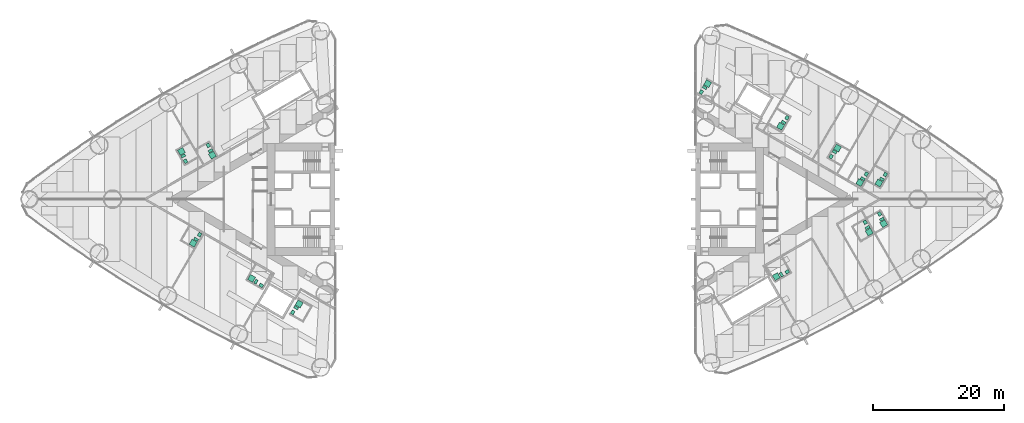
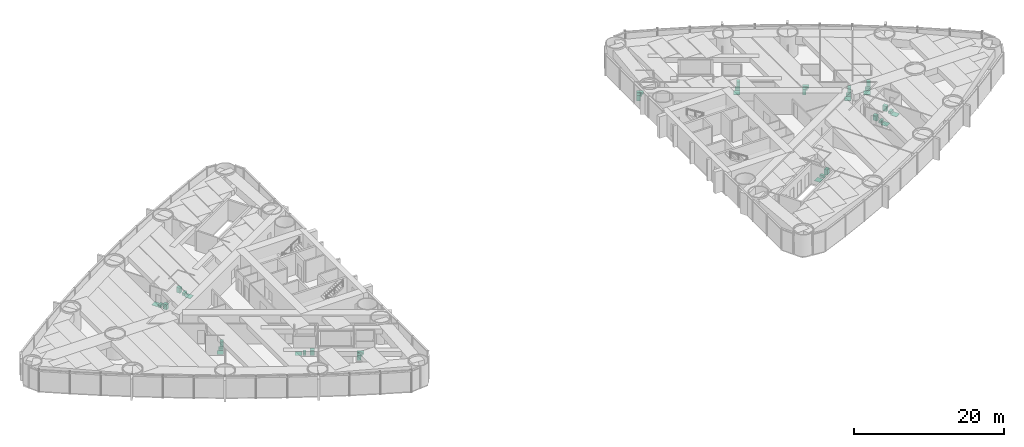
# One storey, part 19 of 19: 17 sanitary terminals.
"""IFC4 building model written with IfcOpenShell, lengths in metres."""

from ifc_helpers import new_model, si_unit, direction, frame, origin, origin_2d, place, context, subcontext, project, spatial, rectangle, extrude, material, type_object, element, save


model = new_model("IFC4")

# Units and contexts
model_context = context("Model", 3, precision=1e-05, world=origin(), true_north=direction((0.0, 1.0)))
body_context = subcontext(model_context, "Body", "Model", "MODEL_VIEW")
ifc_project = project(units=[si_unit("LENGTHUNIT", "METRE"), si_unit("AREAUNIT", "SQUARE_METRE"), si_unit("VOLUMEUNIT", "CUBIC_METRE"), si_unit("PLANEANGLEUNIT", "RADIAN"), si_unit("MASSUNIT", "GRAM", prefix="KILO")], contexts=[model_context])

# Site, building, storey
site_placement = place(None, origin())
site = spatial("IfcSite", under=ifc_project, at=site_placement, CompositionType="ELEMENT")
building_placement = place(site_placement, origin())
building = spatial("IfcBuilding", under=site, at=building_placement, Name="Lancet Gate Hotel", CompositionType="ELEMENT")
storey_placement = place(building_placement, frame((0.0, 0.0, 25.0)))
storey = spatial("IfcBuildingStorey", under=building, at=storey_placement, Name="L05", CompositionType="ELEMENT", Elevation=25.0)

# Sanitary terminals
ifc_material_1 = material(Name="Vitreous china sanitary ware")
sanitary_terminal_type_1 = type_object("IfcSanitaryTerminalType", Name="En-suite sanitary set (shower, WC, basin)", PredefinedType="USERDEFINED", material=ifc_material_1)
sanitary_terminal_1_placement = place(storey_placement, frame((-50.99169921875, 7.2958984375, 0.0), z_axis=(0.0, 0.0, 1.0), x_axis=(1.0, 0.0, 0.0)))
element("IfcSanitaryTerminal", 1, at=sanitary_terminal_1_placement, inside=storey, type_object=sanitary_terminal_type_1, Name="En-suite sanitary set (shower, WC, basin) 0503", ObjectType="EN-SUITE SANITARY SET", PredefinedType="USERDEFINED", context=body_context, shape_type="SweptSolid", body=[
    extrude(rectangle(XDim=0.89990234375, YDim=0.89990234375, at=origin_2d()), frame((0.0, 0.0, 0.0), z_axis=(0.0, 0.0, 1.0), x_axis=(-0.5, 0.866025403784, 0.0)), (0.0, 0.0, 1.0), 0.050048828125),
    extrude(rectangle(XDim=0.39990234375, YDim=0.699951171875, at=origin_2d()), frame((0.278564453125, -0.682373046875, 0.0), z_axis=(0.0, 0.0, 1.0), x_axis=(-0.5, 0.866025403784, 0.0)), (0.0, 0.0, 1.0), 0.39990234375),
    extrude(rectangle(XDim=0.60009765625, YDim=0.5, at=origin_2d()), frame((0.6318359375, -1.494384765625, 0.0), z_axis=(0.0, 0.0, 1.0), x_axis=(-0.5, 0.866025403784, 0.0)), (0.0, 0.0, 1.0), 0.85009765625),
])
sanitary_terminal_2_placement = place(storey_placement, frame((-49.200439453125, -6.71337890625, 0.0), z_axis=(0.0, 0.0, 1.0), x_axis=(1.0, 0.0, 0.0)))
element("IfcSanitaryTerminal", 2, at=sanitary_terminal_2_placement, inside=storey, type_object=sanitary_terminal_type_1, Name="En-suite sanitary set (shower, WC, basin) 0505", ObjectType="EN-SUITE SANITARY SET", PredefinedType="USERDEFINED", context=body_context, shape_type="SweptSolid", body=[
    extrude(rectangle(XDim=0.89990234375, YDim=0.89990234375, at=origin_2d()), frame((0.0, 0.0, 0.0), z_axis=(0.0, 0.0, 1.0), x_axis=(-0.5, -0.866025403784, 0.0)), (0.0, 0.0, 1.0), 0.050048828125),
    extrude(rectangle(XDim=0.39990234375, YDim=0.699951171875, at=origin_2d()), frame((0.45166015625, 0.582275390625, 0.0), z_axis=(0.0, 0.0, 1.0), x_axis=(-0.5, -0.866025403784, 0.0)), (0.0, 0.0, 1.0), 0.39990234375),
    extrude(rectangle(XDim=0.60009765625, YDim=0.5, at=origin_2d()), frame((0.978271484375, 1.29443359375, 0.0), z_axis=(0.0, 0.0, 1.0), x_axis=(-0.5, -0.866025403784, 0.0)), (0.0, 0.0, 1.0), 0.85009765625),
])
sanitary_terminal_3_placement = place(storey_placement, frame((-46.261962890625, 6.72412109375, 0.0), z_axis=(0.0, 0.0, 1.0), x_axis=(1.0, 0.0, 0.0)))
element("IfcSanitaryTerminal", 3, at=sanitary_terminal_3_placement, inside=storey, type_object=sanitary_terminal_type_1, Name="En-suite sanitary set (shower, WC, basin) 0502", ObjectType="EN-SUITE SANITARY SET", PredefinedType="USERDEFINED", context=body_context, shape_type="SweptSolid", body=[
    extrude(rectangle(XDim=0.89990234375, YDim=0.89990234375, at=origin_2d()), frame((0.0, 0.0, 0.0), z_axis=(0.0, 0.0, 1.0), x_axis=(0.5, -0.866025403784, 0.0)), (0.0, 0.0, 1.0), 0.050048828125),
    extrude(rectangle(XDim=0.39990234375, YDim=0.699951171875, at=origin_2d()), frame((-0.2783203125, 0.68212890625, 0.0), z_axis=(0.0, 0.0, 1.0), x_axis=(0.5, -0.866025403784, 0.0)), (0.0, 0.0, 1.0), 0.39990234375),
    extrude(rectangle(XDim=0.60009765625, YDim=0.5, at=origin_2d()), frame((-0.6318359375, 1.494140625, 0.0), z_axis=(0.0, 0.0, 1.0), x_axis=(0.5, -0.866025403784, 0.0)), (0.0, 0.0, 1.0), 0.85009765625),
])
sanitary_terminal_4_placement = place(storey_placement, frame((-33.0107421875, -15.9912109375, 0.0), z_axis=(0.0, 0.0, 1.0), x_axis=(1.0, 0.0, 0.0)))
element("IfcSanitaryTerminal", 4, at=sanitary_terminal_4_placement, inside=storey, type_object=sanitary_terminal_type_1, Name="En-suite sanitary set (shower, WC, basin) 0508", ObjectType="EN-SUITE SANITARY SET", PredefinedType="USERDEFINED", context=body_context, shape_type="SweptSolid", body=[
    extrude(rectangle(XDim=0.89990234375, YDim=0.89990234375, at=origin_2d()), frame((0.0, 0.0, 0.0), z_axis=(0.0, 0.0, 1.0), x_axis=(0.5, 0.866025403784, 0.0)), (0.0, 0.0, 1.0), 0.050048828125),
    extrude(rectangle(XDim=0.39990234375, YDim=0.699951171875, at=origin_2d()), frame((-0.45166015625, -0.582275390625, 0.0), z_axis=(0.0, 0.0, 1.0), x_axis=(0.5, 0.866025403784, 0.0)), (0.0, 0.0, 1.0), 0.39990234375),
    extrude(rectangle(XDim=0.60009765625, YDim=0.5, at=origin_2d()), frame((-0.978271484375, -1.294189453125, 0.0), z_axis=(0.0, 0.0, 1.0), x_axis=(0.5, 0.866025403784, 0.0)), (0.0, 0.0, 1.0), 0.85009765625),
])
sanitary_terminal_5_placement = place(storey_placement, frame((54.071044921875, -5.017822265625, 0.0), z_axis=(0.0, 0.0, 1.0), x_axis=(1.0, 0.0, 0.0)))
element("IfcSanitaryTerminal", 5, at=sanitary_terminal_5_placement, inside=storey, type_object=sanitary_terminal_type_1, Name="En-suite sanitary set (shower, WC, basin) 0556", ObjectType="EN-SUITE SANITARY SET", PredefinedType="USERDEFINED", context=body_context, shape_type="SweptSolid", body=[
    extrude(rectangle(XDim=0.89990234375, YDim=0.89990234375, at=origin_2d()), frame((0.0, 0.0, 0.0), z_axis=(0.0, 0.0, 1.0), x_axis=(0.5, -0.866025403784, 0.0)), (0.0, 0.0, 1.0), 0.050048828125),
    extrude(rectangle(XDim=0.39990234375, YDim=0.699951171875, at=origin_2d()), frame((-0.2783203125, 0.68212890625, 0.0), z_axis=(0.0, 0.0, 1.0), x_axis=(0.5, -0.866025403784, 0.0)), (0.0, 0.0, 1.0), 0.39990234375),
    extrude(rectangle(XDim=0.60009765625, YDim=0.5, at=origin_2d()), frame((-0.6318359375, 1.494384765625, 0.0), z_axis=(0.0, 0.0, 1.0), x_axis=(0.5, -0.866025403784, 0.0)), (0.0, 0.0, 1.0), 0.85009765625),
])
sanitary_terminal_6_placement = place(storey_placement, frame((56.279541015625, -3.742919921875, 0.0), z_axis=(0.0, 0.0, 1.0), x_axis=(1.0, 0.0, 0.0)))
element("IfcSanitaryTerminal", 6, at=sanitary_terminal_6_placement, inside=storey, type_object=sanitary_terminal_type_1, Name="En-suite sanitary set (shower, WC, basin) 0557", ObjectType="EN-SUITE SANITARY SET", PredefinedType="USERDEFINED", context=body_context, shape_type="SweptSolid", body=[
    extrude(rectangle(XDim=0.89990234375, YDim=0.89990234375, at=origin_2d()), frame((0.0, 0.0, 0.0), z_axis=(0.0, 0.0, 1.0), x_axis=(0.5, -0.866025403784, 0.0)), (0.0, 0.0, 1.0), 0.050048828125),
    extrude(rectangle(XDim=0.39990234375, YDim=0.699951171875, at=origin_2d()), frame((-0.2783203125, 0.682373046875, 0.0), z_axis=(0.0, 0.0, 1.0), x_axis=(0.5, -0.866025403784, 0.0)), (0.0, 0.0, 1.0), 0.39990234375),
    extrude(rectangle(XDim=0.60009765625, YDim=0.5, at=origin_2d()), frame((-0.6318359375, 1.494384765625, 0.0), z_axis=(0.0, 0.0, 1.0), x_axis=(0.5, -0.866025403784, 0.0)), (0.0, 0.0, 1.0), 0.85009765625),
])
sanitary_terminal_7_placement = place(storey_placement, frame((55.549560546875, 2.478515625, 0.0), z_axis=(0.0, 0.0, 1.0), x_axis=(1.0, 0.0, 0.0)))
element("IfcSanitaryTerminal", 7, at=sanitary_terminal_7_placement, inside=storey, type_object=sanitary_terminal_type_1, Name="En-suite sanitary set (shower, WC, basin) 0558", ObjectType="EN-SUITE SANITARY SET", PredefinedType="USERDEFINED", context=body_context, shape_type="SweptSolid", body=[
    extrude(rectangle(XDim=0.89990234375, YDim=0.89990234375, at=origin_2d()), frame((0.0, 0.0, 0.0), z_axis=(0.0, 0.0, 1.0), x_axis=(-0.5, -0.866025403784, 0.0)), (0.0, 0.0, 1.0), 0.050048828125),
    extrude(rectangle(XDim=0.39990234375, YDim=0.699951171875, at=origin_2d()), frame((0.45166015625, 0.58203125, 0.0), z_axis=(0.0, 0.0, 1.0), x_axis=(-0.5, -0.866025403784, 0.0)), (0.0, 0.0, 1.0), 0.39990234375),
    extrude(rectangle(XDim=0.60009765625, YDim=0.5, at=origin_2d()), frame((0.97802734375, 1.294189453125, 0.0), z_axis=(0.0, 0.0, 1.0), x_axis=(-0.5, -0.866025403784, 0.0)), (0.0, 0.0, 1.0), 0.85009765625),
])
sanitary_terminal_8_placement = place(storey_placement, frame((52.64111328125, 2.541015625, 0.0), z_axis=(0.0, 0.0, 1.0), x_axis=(1.0, 0.0, 0.0)))
element("IfcSanitaryTerminal", 8, at=sanitary_terminal_8_placement, inside=storey, type_object=sanitary_terminal_type_1, Name="En-suite sanitary set (shower, WC, basin) 0559", ObjectType="EN-SUITE SANITARY SET", PredefinedType="USERDEFINED", context=body_context, shape_type="SweptSolid", body=[
    extrude(rectangle(XDim=0.89990234375, YDim=0.89990234375, at=origin_2d()), frame((0.0, 0.0, 0.0), z_axis=(0.0, 0.0, 1.0), x_axis=(-0.5, -0.866025403784, 0.0)), (0.0, 0.0, 1.0), 0.050048828125),
    extrude(rectangle(XDim=0.39990234375, YDim=0.699951171875, at=origin_2d()), frame((0.45166015625, 0.582275390625, 0.0), z_axis=(0.0, 0.0, 1.0), x_axis=(-0.5, -0.866025403784, 0.0)), (0.0, 0.0, 1.0), 0.39990234375),
    extrude(rectangle(XDim=0.60009765625, YDim=0.5, at=origin_2d()), frame((0.978271484375, 1.294189453125, 0.0), z_axis=(0.0, 0.0, 1.0), x_axis=(-0.5, -0.866025403784, 0.0)), (0.0, 0.0, 1.0), 0.85009765625),
])
sanitary_terminal_9_placement = place(storey_placement, frame((49.224853515625, 7.81591796875, 0.0), z_axis=(0.0, 0.0, 1.0), x_axis=(1.0, 0.0, 0.0)))
element("IfcSanitaryTerminal", 9, at=sanitary_terminal_9_placement, inside=storey, type_object=sanitary_terminal_type_1, Name="En-suite sanitary set (shower, WC, basin) 0560", ObjectType="EN-SUITE SANITARY SET", PredefinedType="USERDEFINED", context=body_context, shape_type="SweptSolid", body=[
    extrude(rectangle(XDim=0.89990234375, YDim=0.89990234375, at=origin_2d()), frame((0.0, 0.0, 0.0), z_axis=(0.0, 0.0, 1.0), x_axis=(0.5, 0.866025403784, 0.0)), (0.0, 0.0, 1.0), 0.050048828125),
    extrude(rectangle(XDim=0.39990234375, YDim=0.699951171875, at=origin_2d()), frame((-0.45166015625, -0.582275390625, 0.0), z_axis=(0.0, 0.0, 1.0), x_axis=(0.5, 0.866025403784, 0.0)), (0.0, 0.0, 1.0), 0.39990234375),
    extrude(rectangle(XDim=0.60009765625, YDim=0.5, at=origin_2d()), frame((-0.978271484375, -1.29443359375, 0.0), z_axis=(0.0, 0.0, 1.0), x_axis=(0.5, 0.866025403784, 0.0)), (0.0, 0.0, 1.0), 0.85009765625),
])
sanitary_terminal_10_placement = place(storey_placement, frame((40.530029296875, 11.14990234375, 0.0), z_axis=(0.0, 0.0, 1.0), x_axis=(1.0, 0.0, 0.0)))
element("IfcSanitaryTerminal", 10, at=sanitary_terminal_10_placement, inside=storey, type_object=sanitary_terminal_type_1, Name="En-suite sanitary set (shower, WC, basin) 0561", ObjectType="EN-SUITE SANITARY SET", PredefinedType="USERDEFINED", context=body_context, shape_type="SweptSolid", body=[
    extrude(rectangle(XDim=0.89990234375, YDim=0.89990234375, at=origin_2d()), frame((0.0, 0.0, 0.0), z_axis=(0.0, 0.0, 1.0), x_axis=(-0.5, -0.866025403784, 0.0)), (0.0, 0.0, 1.0), 0.050048828125),
    extrude(rectangle(XDim=0.39990234375, YDim=0.699951171875, at=origin_2d()), frame((0.45166015625, 0.582275390625, 0.0), z_axis=(0.0, 0.0, 1.0), x_axis=(-0.5, -0.866025403784, 0.0)), (0.0, 0.0, 1.0), 0.39990234375),
    extrude(rectangle(XDim=0.60009765625, YDim=0.5, at=origin_2d()), frame((0.978271484375, 1.294189453125, 0.0), z_axis=(0.0, 0.0, 1.0), x_axis=(-0.5, -0.866025403784, 0.0)), (0.0, 0.0, 1.0), 0.85009765625),
])
sanitary_terminal_11_placement = place(storey_placement, frame((29.390380859375, 17.650634765625, 0.0), z_axis=(0.0, 0.0, 1.0), x_axis=(1.0, 0.0, 0.0)))
element("IfcSanitaryTerminal", 11, at=sanitary_terminal_11_placement, inside=storey, type_object=sanitary_terminal_type_1, Name="En-suite sanitary set (shower, WC, basin) 0563", ObjectType="EN-SUITE SANITARY SET", PredefinedType="USERDEFINED", context=body_context, shape_type="SweptSolid", body=[
    extrude(rectangle(XDim=0.89990234375, YDim=0.89990234375, at=origin_2d()), frame((0.0, 0.0, 0.0), z_axis=(0.0, 0.0, 1.0), x_axis=(0.5, 0.866025403784, 0.0)), (0.0, 0.0, 1.0), 0.050048828125),
    extrude(rectangle(XDim=0.39990234375, YDim=0.699951171875, at=origin_2d()), frame((-0.451416015625, -0.582275390625, 0.0), z_axis=(0.0, 0.0, 1.0), x_axis=(0.5, 0.866025403784, 0.0)), (0.0, 0.0, 1.0), 0.39990234375),
    extrude(rectangle(XDim=0.60009765625, YDim=0.5, at=origin_2d()), frame((-0.97802734375, -1.29443359375, 0.0), z_axis=(0.0, 0.0, 1.0), x_axis=(0.5, 0.866025403784, 0.0)), (0.0, 0.0, 1.0), 0.85009765625),
])
ifc_material_2 = material(Name="Stone resin shower tray", Category="masonry")
sanitary_terminal_type_2 = type_object("IfcSanitaryTerminalType", Name="Shower tray 900", PredefinedType="SHOWER", material=ifc_material_2)
for number, where, z_axis, x_axis, name in (
    (12, (-40.2763671875, -12.0966796875, 0.0), (0.0, 0.0, 1.0), (-0.866025403784, 0.5, 0.0), "Shower tray 900 0507"),
    (13, (39.87841796875, -11.826416015625, 0.0), (0.0, 0.0, 1.0), (-0.866025403784, -0.5, 0.0), "Shower tray 900 0553"),
):
    element("IfcSanitaryTerminal", number, at=place(storey_placement, frame(where, z_axis=z_axis, x_axis=x_axis)), inside=storey, type_object=sanitary_terminal_type_2, Name=name, PredefinedType="SHOWER", context=body_context, shape_type="SweptSolid", body=[
        extrude(rectangle(XDim=0.89990234375, YDim=0.89990234375, at=origin_2d()), origin(), (0.0, 0.0, 1.0), 0.050048828125),
    ])
ifc_material_3 = material(Name="Vitreous china sanitary ware")
sanitary_terminal_type_3 = type_object("IfcSanitaryTerminalType", Name="Vanity basin 600", PredefinedType="WASHHANDBASIN", material=ifc_material_3)
for number, where, z_axis, x_axis, name in (
    (14, (-38.808837890625, -13.1748046875, 0.0), (0.0, 0.0, 1.0), (-0.866025403784, 0.5, 0.0), "Vanity basin 600 0507"),
    (15, (41.5458984375, -11.094482421875, 0.0), (0.0, 0.0, 1.0), (-0.866025403784, -0.5, 0.0), "Vanity basin 600 0553"),
):
    element("IfcSanitaryTerminal", number, at=place(storey_placement, frame(where, z_axis=z_axis, x_axis=x_axis)), inside=storey, type_object=sanitary_terminal_type_3, Name=name, PredefinedType="WASHHANDBASIN", context=body_context, shape_type="SweptSolid", body=[
        extrude(rectangle(XDim=0.60009765625, YDim=0.5, at=origin_2d()), origin(), (0.0, 0.0, 1.0), 0.85009765625),
    ])
ifc_material_4 = material(Name="Vitreous china sanitary ware")
sanitary_terminal_type_4 = type_object("IfcSanitaryTerminalType", Name="WC pan wall hung", PredefinedType="TOILETPAN", material=ifc_material_4)
for number, where, z_axis, x_axis, name in (
    (16, (-39.607421875, -12.59814453125, 0.0), (0.0, 0.0, 1.0), (-0.866025403784, 0.5, 0.0), "WC pan wall hung 0507"),
    (17, (40.647216796875, -11.497802734375, 0.0), (0.0, 0.0, 1.0), (-0.866025403784, -0.5, 0.0), "WC pan wall hung 0553"),
):
    element("IfcSanitaryTerminal", number, at=place(storey_placement, frame(where, z_axis=z_axis, x_axis=x_axis)), inside=storey, type_object=sanitary_terminal_type_4, Name=name, PredefinedType="TOILETPAN", context=body_context, shape_type="SweptSolid", body=[
        extrude(rectangle(XDim=0.39990234375, YDim=0.699951171875, at=origin_2d()), origin(), (0.0, 0.0, 1.0), 0.39990234375),
    ])

save(model, "model.ifc")
